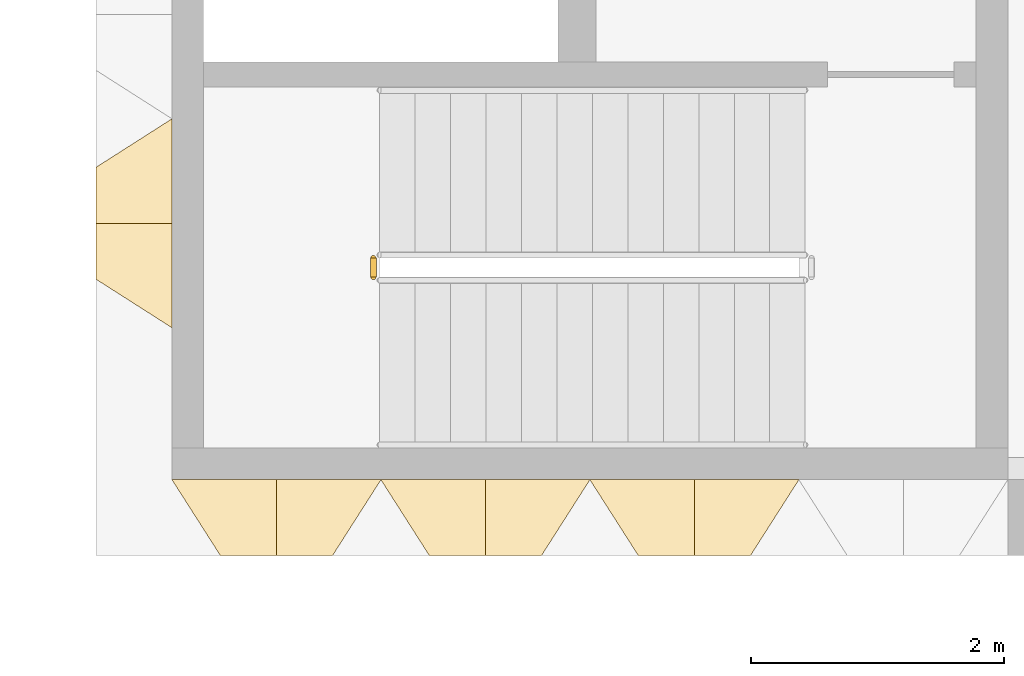
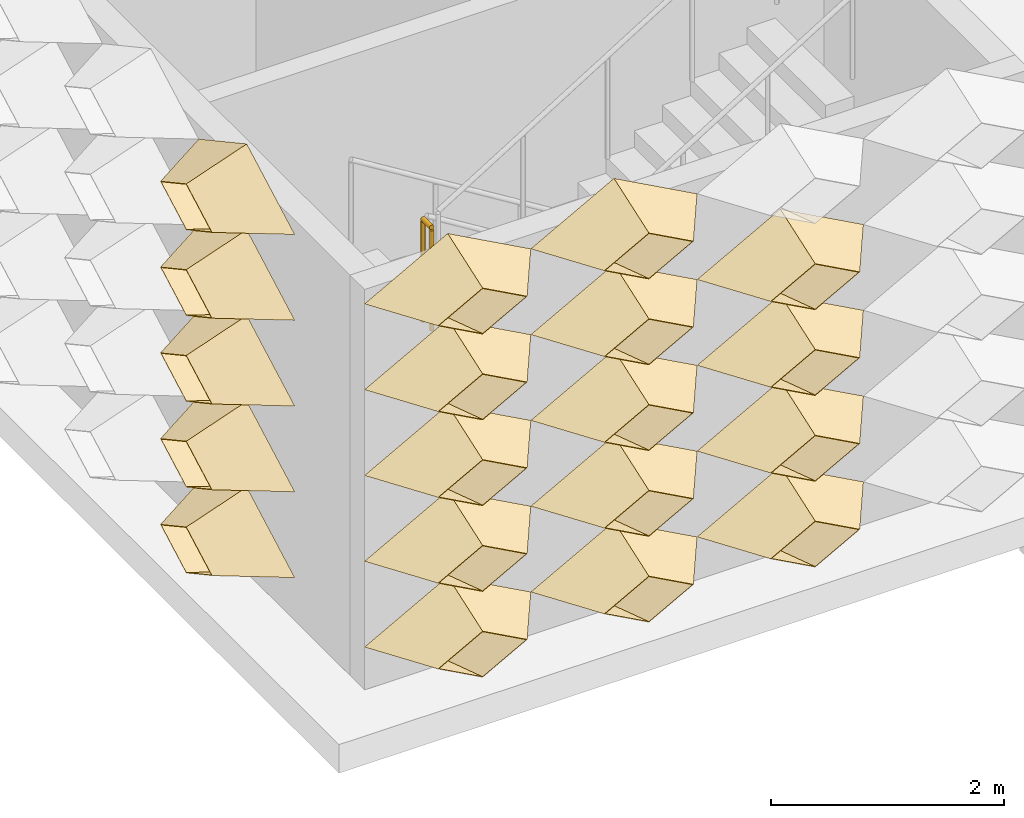
# One storey, part 11 of 28: 19 coverings, 1 railing.
"""IFC4 building model written with IfcOpenShell, lengths in metres."""

from ifc_helpers import new_model, entity, si_unit, direction, frame, origin, origin_2d, place, context, subcontext, project, spatial, circle, extrude, material, layer, layer_set, type_object, element, save


model = new_model("IFC4")

# Units and contexts
model_context = context("Model", 3, precision=1e-05, world=origin(), true_north=direction((0.0, 1.0)))
body_context = subcontext(model_context, "Body", "Model", "MODEL_VIEW")
ifc_project = project(units=[si_unit("LENGTHUNIT", "METRE"), si_unit("AREAUNIT", "SQUARE_METRE"), si_unit("VOLUMEUNIT", "CUBIC_METRE"), si_unit("PLANEANGLEUNIT", "RADIAN"), si_unit("MASSUNIT", "GRAM", prefix="KILO")], contexts=[model_context])

# Site, building, storey
site_placement = place(None, origin())
site = spatial("IfcSite", under=ifc_project, at=site_placement, CompositionType="ELEMENT")
building_placement = place(site_placement, origin())
building = spatial("IfcBuilding", under=site, at=building_placement, Name="Lantern Court Research Institute", CompositionType="ELEMENT")
storey_placement = place(building_placement, frame((0.0, 0.0, 36.89990234375)))
storey = spatial("IfcBuildingStorey", under=building, at=storey_placement, Name="L08", CompositionType="ELEMENT", Elevation=36.89990234375)

# Coverings
ifc_material_1 = material(Name="Anodised aluminium", Category="aluminium")
ifc_layer = layer(ifc_material_1, 0.01611328125)
ifc_layer_set = layer_set([ifc_layer], Name="Anodised aluminium")
covering_type = type_object("IfcCoveringType", Name="Fin cassette 1650 x 900 x 600 aluminium", PredefinedType="CLADDING", material=ifc_layer_set)
covering_1_placement = place(storey_placement, frame((53.625, -7.800048828125, 0.4501953125), z_axis=(0.0, -1.0, 0.0), x_axis=(1.0, 0.0, 0.0)))
cartesian_point_1 = entity("IfcCartesianPoint", [0.824951171875, 0.0])
cartesian_point_2 = entity("IfcCartesianPoint", [0.79150390625, 0.0])
cartesian_point_3 = entity("IfcCartesianPoint", [0.44189453125, 0.0])
cartesian_point_4 = entity("IfcCartesianPoint", [0.43359375, 0.0])
element("IfcCovering", 1, at=covering_1_placement, inside=storey, type_object=covering_type, Name="Fin cassette V5S-L08 1.33", PredefinedType="CLADDING", context=body_context, shape_type="SweptSolid", body=[
    entity("IfcExtrudedAreaSolidTapered", entity("IfcArbitraryProfileDefWithVoids", "AREA", None, entity("IfcPolyline", [cartesian_point_1, entity("IfcCartesianPoint", [0.0, 0.449951171875]), entity("IfcCartesianPoint", [-0.824951171875, 0.0]), entity("IfcCartesianPoint", [0.0, -0.449951171875]), cartesian_point_1]), [entity("IfcPolyline", [cartesian_point_2, entity("IfcCartesianPoint", [0.0, 0.431884765625]), entity("IfcCartesianPoint", [-0.79150390625, 0.0]), entity("IfcCartesianPoint", [0.0, -0.431884765625]), cartesian_point_2])]), entity("IfcAxis2Placement3D", entity("IfcCartesianPoint", [0.0, 0.0, 0.0])), entity("IfcDirection", [0.0, 0.0, 1.0]), 0.60009765625, entity("IfcArbitraryProfileDefWithVoids", "AREA", None, entity("IfcPolyline", [cartesian_point_3, entity("IfcCartesianPoint", [0.0, 0.240966796875]), entity("IfcCartesianPoint", [-0.44189453125, 0.0]), entity("IfcCartesianPoint", [0.0, -0.240966796875]), cartesian_point_3]), [entity("IfcPolyline", [cartesian_point_4, entity("IfcCartesianPoint", [0.0, 0.236572265625]), entity("IfcCartesianPoint", [-0.43359375, 0.0]), entity("IfcCartesianPoint", [0.0, -0.236572265625]), cartesian_point_4])])),
])
covering_2_placement = place(storey_placement, frame((55.27490234375, -7.800048828125, 0.4501953125), z_axis=(0.0, -1.0, 0.0), x_axis=(1.0, 0.0, 0.0)))
cartesian_point_5 = entity("IfcCartesianPoint", [0.824951171875, 0.0])
cartesian_point_6 = entity("IfcCartesianPoint", [0.79150390625, 0.0])
cartesian_point_7 = entity("IfcCartesianPoint", [0.44189453125, 0.0])
cartesian_point_8 = entity("IfcCartesianPoint", [0.43359375, 0.0])
element("IfcCovering", 2, at=covering_2_placement, inside=storey, type_object=covering_type, Name="Fin cassette V5S-L08 1.34", PredefinedType="CLADDING", context=body_context, shape_type="SweptSolid", body=[
    entity("IfcExtrudedAreaSolidTapered", entity("IfcArbitraryProfileDefWithVoids", "AREA", None, entity("IfcPolyline", [cartesian_point_5, entity("IfcCartesianPoint", [0.0, 0.449951171875]), entity("IfcCartesianPoint", [-0.824951171875, 0.0]), entity("IfcCartesianPoint", [0.0, -0.449951171875]), cartesian_point_5]), [entity("IfcPolyline", [cartesian_point_6, entity("IfcCartesianPoint", [0.0, 0.431884765625]), entity("IfcCartesianPoint", [-0.79150390625, 0.0]), entity("IfcCartesianPoint", [0.0, -0.431884765625]), cartesian_point_6])]), entity("IfcAxis2Placement3D", entity("IfcCartesianPoint", [0.0, 0.0, 0.0])), entity("IfcDirection", [0.0, 0.0, 1.0]), 0.60009765625, entity("IfcArbitraryProfileDefWithVoids", "AREA", None, entity("IfcPolyline", [cartesian_point_7, entity("IfcCartesianPoint", [0.0, 0.240966796875]), entity("IfcCartesianPoint", [-0.44189453125, 0.0]), entity("IfcCartesianPoint", [0.0, -0.240966796875]), cartesian_point_7]), [entity("IfcPolyline", [cartesian_point_8, entity("IfcCartesianPoint", [0.0, 0.236572265625]), entity("IfcCartesianPoint", [-0.43359375, 0.0]), entity("IfcCartesianPoint", [0.0, -0.236572265625]), cartesian_point_8])])),
])
covering_3_placement = place(storey_placement, frame((56.925048828125, -7.800048828125, 0.4501953125), z_axis=(0.0, -1.0, 0.0), x_axis=(1.0, 0.0, 0.0)))
cartesian_point_9 = entity("IfcCartesianPoint", [0.824951171875, 0.0])
cartesian_point_10 = entity("IfcCartesianPoint", [0.79150390625, 0.0])
cartesian_point_11 = entity("IfcCartesianPoint", [0.44189453125, 0.0])
cartesian_point_12 = entity("IfcCartesianPoint", [0.43359375, 0.0])
element("IfcCovering", 3, at=covering_3_placement, inside=storey, type_object=covering_type, Name="Fin cassette V5S-L08 1.35", PredefinedType="CLADDING", context=body_context, shape_type="SweptSolid", body=[
    entity("IfcExtrudedAreaSolidTapered", entity("IfcArbitraryProfileDefWithVoids", "AREA", None, entity("IfcPolyline", [cartesian_point_9, entity("IfcCartesianPoint", [0.0, 0.449951171875]), entity("IfcCartesianPoint", [-0.824951171875, 0.0]), entity("IfcCartesianPoint", [0.0, -0.449951171875]), cartesian_point_9]), [entity("IfcPolyline", [cartesian_point_10, entity("IfcCartesianPoint", [0.0, 0.431884765625]), entity("IfcCartesianPoint", [-0.79150390625, 0.0]), entity("IfcCartesianPoint", [0.0, -0.431884765625]), cartesian_point_10])]), entity("IfcAxis2Placement3D", entity("IfcCartesianPoint", [0.0, 0.0, 0.0])), entity("IfcDirection", [0.0, 0.0, 1.0]), 0.60009765625, entity("IfcArbitraryProfileDefWithVoids", "AREA", None, entity("IfcPolyline", [cartesian_point_11, entity("IfcCartesianPoint", [0.0, 0.240966796875]), entity("IfcCartesianPoint", [-0.44189453125, 0.0]), entity("IfcCartesianPoint", [0.0, -0.240966796875]), cartesian_point_11]), [entity("IfcPolyline", [cartesian_point_12, entity("IfcCartesianPoint", [0.0, 0.236572265625]), entity("IfcCartesianPoint", [-0.43359375, 0.0]), entity("IfcCartesianPoint", [0.0, -0.236572265625]), cartesian_point_12])])),
])
covering_4_placement = place(storey_placement, frame((53.625, -7.800048828125, 1.35009765625), z_axis=(0.0, -1.0, 0.0), x_axis=(1.0, 0.0, 0.0)))
cartesian_point_13 = entity("IfcCartesianPoint", [0.824951171875, 0.0])
cartesian_point_14 = entity("IfcCartesianPoint", [0.79150390625, 0.0])
cartesian_point_15 = entity("IfcCartesianPoint", [0.44189453125, 0.0])
cartesian_point_16 = entity("IfcCartesianPoint", [0.43359375, 0.0])
element("IfcCovering", 4, at=covering_4_placement, inside=storey, type_object=covering_type, Name="Fin cassette V5S-L08 2.33", PredefinedType="CLADDING", context=body_context, shape_type="SweptSolid", body=[
    entity("IfcExtrudedAreaSolidTapered", entity("IfcArbitraryProfileDefWithVoids", "AREA", None, entity("IfcPolyline", [cartesian_point_13, entity("IfcCartesianPoint", [0.0, 0.449951171875]), entity("IfcCartesianPoint", [-0.824951171875, 0.0]), entity("IfcCartesianPoint", [0.0, -0.449951171875]), cartesian_point_13]), [entity("IfcPolyline", [cartesian_point_14, entity("IfcCartesianPoint", [0.0, 0.431884765625]), entity("IfcCartesianPoint", [-0.79150390625, 0.0]), entity("IfcCartesianPoint", [0.0, -0.431884765625]), cartesian_point_14])]), entity("IfcAxis2Placement3D", entity("IfcCartesianPoint", [0.0, 0.0, 0.0])), entity("IfcDirection", [0.0, 0.0, 1.0]), 0.60009765625, entity("IfcArbitraryProfileDefWithVoids", "AREA", None, entity("IfcPolyline", [cartesian_point_15, entity("IfcCartesianPoint", [0.0, 0.240966796875]), entity("IfcCartesianPoint", [-0.44189453125, 0.0]), entity("IfcCartesianPoint", [0.0, -0.240966796875]), cartesian_point_15]), [entity("IfcPolyline", [cartesian_point_16, entity("IfcCartesianPoint", [0.0, 0.236572265625]), entity("IfcCartesianPoint", [-0.43359375, 0.0]), entity("IfcCartesianPoint", [0.0, -0.236572265625]), cartesian_point_16])])),
])
covering_5_placement = place(storey_placement, frame((55.27490234375, -7.800048828125, 1.35009765625), z_axis=(0.0, -1.0, 0.0), x_axis=(1.0, 0.0, 0.0)))
cartesian_point_17 = entity("IfcCartesianPoint", [0.824951171875, 0.0])
cartesian_point_18 = entity("IfcCartesianPoint", [0.79150390625, 0.0])
cartesian_point_19 = entity("IfcCartesianPoint", [0.44189453125, 0.0])
cartesian_point_20 = entity("IfcCartesianPoint", [0.43359375, 0.0])
element("IfcCovering", 5, at=covering_5_placement, inside=storey, type_object=covering_type, Name="Fin cassette V5S-L08 2.34", PredefinedType="CLADDING", context=body_context, shape_type="SweptSolid", body=[
    entity("IfcExtrudedAreaSolidTapered", entity("IfcArbitraryProfileDefWithVoids", "AREA", None, entity("IfcPolyline", [cartesian_point_17, entity("IfcCartesianPoint", [0.0, 0.449951171875]), entity("IfcCartesianPoint", [-0.824951171875, 0.0]), entity("IfcCartesianPoint", [0.0, -0.449951171875]), cartesian_point_17]), [entity("IfcPolyline", [cartesian_point_18, entity("IfcCartesianPoint", [0.0, 0.431884765625]), entity("IfcCartesianPoint", [-0.79150390625, 0.0]), entity("IfcCartesianPoint", [0.0, -0.431884765625]), cartesian_point_18])]), entity("IfcAxis2Placement3D", entity("IfcCartesianPoint", [0.0, 0.0, 0.0])), entity("IfcDirection", [0.0, 0.0, 1.0]), 0.60009765625, entity("IfcArbitraryProfileDefWithVoids", "AREA", None, entity("IfcPolyline", [cartesian_point_19, entity("IfcCartesianPoint", [0.0, 0.240966796875]), entity("IfcCartesianPoint", [-0.44189453125, 0.0]), entity("IfcCartesianPoint", [0.0, -0.240966796875]), cartesian_point_19]), [entity("IfcPolyline", [cartesian_point_20, entity("IfcCartesianPoint", [0.0, 0.236572265625]), entity("IfcCartesianPoint", [-0.43359375, 0.0]), entity("IfcCartesianPoint", [0.0, -0.236572265625]), cartesian_point_20])])),
])
covering_6_placement = place(storey_placement, frame((56.925048828125, -7.800048828125, 1.35009765625), z_axis=(0.0, -1.0, 0.0), x_axis=(1.0, 0.0, 0.0)))
cartesian_point_21 = entity("IfcCartesianPoint", [0.824951171875, 0.0])
cartesian_point_22 = entity("IfcCartesianPoint", [0.79150390625, 0.0])
cartesian_point_23 = entity("IfcCartesianPoint", [0.44189453125, 0.0])
cartesian_point_24 = entity("IfcCartesianPoint", [0.43359375, 0.0])
element("IfcCovering", 6, at=covering_6_placement, inside=storey, type_object=covering_type, Name="Fin cassette V5S-L08 2.35", PredefinedType="CLADDING", context=body_context, shape_type="SweptSolid", body=[
    entity("IfcExtrudedAreaSolidTapered", entity("IfcArbitraryProfileDefWithVoids", "AREA", None, entity("IfcPolyline", [cartesian_point_21, entity("IfcCartesianPoint", [0.0, 0.449951171875]), entity("IfcCartesianPoint", [-0.824951171875, 0.0]), entity("IfcCartesianPoint", [0.0, -0.449951171875]), cartesian_point_21]), [entity("IfcPolyline", [cartesian_point_22, entity("IfcCartesianPoint", [0.0, 0.431884765625]), entity("IfcCartesianPoint", [-0.79150390625, 0.0]), entity("IfcCartesianPoint", [0.0, -0.431884765625]), cartesian_point_22])]), entity("IfcAxis2Placement3D", entity("IfcCartesianPoint", [0.0, 0.0, 0.0])), entity("IfcDirection", [0.0, 0.0, 1.0]), 0.60009765625, entity("IfcArbitraryProfileDefWithVoids", "AREA", None, entity("IfcPolyline", [cartesian_point_23, entity("IfcCartesianPoint", [0.0, 0.240966796875]), entity("IfcCartesianPoint", [-0.44189453125, 0.0]), entity("IfcCartesianPoint", [0.0, -0.240966796875]), cartesian_point_23]), [entity("IfcPolyline", [cartesian_point_24, entity("IfcCartesianPoint", [0.0, 0.236572265625]), entity("IfcCartesianPoint", [-0.43359375, 0.0]), entity("IfcCartesianPoint", [0.0, -0.236572265625]), cartesian_point_24])])),
])
covering_7_placement = place(storey_placement, frame((53.625, -7.800048828125, 2.25), z_axis=(0.0, -1.0, 0.0), x_axis=(1.0, 0.0, 0.0)))
cartesian_point_25 = entity("IfcCartesianPoint", [0.824951171875, 0.0])
cartesian_point_26 = entity("IfcCartesianPoint", [0.79150390625, 0.0])
cartesian_point_27 = entity("IfcCartesianPoint", [0.44189453125, 0.0])
cartesian_point_28 = entity("IfcCartesianPoint", [0.43359375, 0.0])
element("IfcCovering", 7, at=covering_7_placement, inside=storey, type_object=covering_type, Name="Fin cassette V5S-L08 3.33", PredefinedType="CLADDING", context=body_context, shape_type="SweptSolid", body=[
    entity("IfcExtrudedAreaSolidTapered", entity("IfcArbitraryProfileDefWithVoids", "AREA", None, entity("IfcPolyline", [cartesian_point_25, entity("IfcCartesianPoint", [0.0, 0.449951171875]), entity("IfcCartesianPoint", [-0.824951171875, 0.0]), entity("IfcCartesianPoint", [0.0, -0.449951171875]), cartesian_point_25]), [entity("IfcPolyline", [cartesian_point_26, entity("IfcCartesianPoint", [0.0, 0.431884765625]), entity("IfcCartesianPoint", [-0.79150390625, 0.0]), entity("IfcCartesianPoint", [0.0, -0.431884765625]), cartesian_point_26])]), entity("IfcAxis2Placement3D", entity("IfcCartesianPoint", [0.0, 0.0, 0.0])), entity("IfcDirection", [0.0, 0.0, 1.0]), 0.60009765625, entity("IfcArbitraryProfileDefWithVoids", "AREA", None, entity("IfcPolyline", [cartesian_point_27, entity("IfcCartesianPoint", [0.0, 0.240966796875]), entity("IfcCartesianPoint", [-0.44189453125, 0.0]), entity("IfcCartesianPoint", [0.0, -0.240966796875]), cartesian_point_27]), [entity("IfcPolyline", [cartesian_point_28, entity("IfcCartesianPoint", [0.0, 0.236572265625]), entity("IfcCartesianPoint", [-0.43359375, 0.0]), entity("IfcCartesianPoint", [0.0, -0.236572265625]), cartesian_point_28])])),
])
covering_8_placement = place(storey_placement, frame((55.27490234375, -7.800048828125, 2.25), z_axis=(0.0, -1.0, 0.0), x_axis=(1.0, 0.0, 0.0)))
cartesian_point_29 = entity("IfcCartesianPoint", [0.824951171875, 0.0])
cartesian_point_30 = entity("IfcCartesianPoint", [0.79150390625, 0.0])
cartesian_point_31 = entity("IfcCartesianPoint", [0.44189453125, 0.0])
cartesian_point_32 = entity("IfcCartesianPoint", [0.43359375, 0.0])
element("IfcCovering", 8, at=covering_8_placement, inside=storey, type_object=covering_type, Name="Fin cassette V5S-L08 3.34", PredefinedType="CLADDING", context=body_context, shape_type="SweptSolid", body=[
    entity("IfcExtrudedAreaSolidTapered", entity("IfcArbitraryProfileDefWithVoids", "AREA", None, entity("IfcPolyline", [cartesian_point_29, entity("IfcCartesianPoint", [0.0, 0.449951171875]), entity("IfcCartesianPoint", [-0.824951171875, 0.0]), entity("IfcCartesianPoint", [0.0, -0.449951171875]), cartesian_point_29]), [entity("IfcPolyline", [cartesian_point_30, entity("IfcCartesianPoint", [0.0, 0.431884765625]), entity("IfcCartesianPoint", [-0.79150390625, 0.0]), entity("IfcCartesianPoint", [0.0, -0.431884765625]), cartesian_point_30])]), entity("IfcAxis2Placement3D", entity("IfcCartesianPoint", [0.0, 0.0, 0.0])), entity("IfcDirection", [0.0, 0.0, 1.0]), 0.60009765625, entity("IfcArbitraryProfileDefWithVoids", "AREA", None, entity("IfcPolyline", [cartesian_point_31, entity("IfcCartesianPoint", [0.0, 0.240966796875]), entity("IfcCartesianPoint", [-0.44189453125, 0.0]), entity("IfcCartesianPoint", [0.0, -0.240966796875]), cartesian_point_31]), [entity("IfcPolyline", [cartesian_point_32, entity("IfcCartesianPoint", [0.0, 0.236572265625]), entity("IfcCartesianPoint", [-0.43359375, 0.0]), entity("IfcCartesianPoint", [0.0, -0.236572265625]), cartesian_point_32])])),
])
covering_9_placement = place(storey_placement, frame((56.925048828125, -7.800048828125, 2.25), z_axis=(0.0, -1.0, 0.0), x_axis=(1.0, 0.0, 0.0)))
cartesian_point_33 = entity("IfcCartesianPoint", [0.824951171875, 0.0])
cartesian_point_34 = entity("IfcCartesianPoint", [0.79150390625, 0.0])
cartesian_point_35 = entity("IfcCartesianPoint", [0.44189453125, 0.0])
cartesian_point_36 = entity("IfcCartesianPoint", [0.43359375, 0.0])
element("IfcCovering", 9, at=covering_9_placement, inside=storey, type_object=covering_type, Name="Fin cassette V5S-L08 3.35", PredefinedType="CLADDING", context=body_context, shape_type="SweptSolid", body=[
    entity("IfcExtrudedAreaSolidTapered", entity("IfcArbitraryProfileDefWithVoids", "AREA", None, entity("IfcPolyline", [cartesian_point_33, entity("IfcCartesianPoint", [0.0, 0.449951171875]), entity("IfcCartesianPoint", [-0.824951171875, 0.0]), entity("IfcCartesianPoint", [0.0, -0.449951171875]), cartesian_point_33]), [entity("IfcPolyline", [cartesian_point_34, entity("IfcCartesianPoint", [0.0, 0.431884765625]), entity("IfcCartesianPoint", [-0.79150390625, 0.0]), entity("IfcCartesianPoint", [0.0, -0.431884765625]), cartesian_point_34])]), entity("IfcAxis2Placement3D", entity("IfcCartesianPoint", [0.0, 0.0, 0.0])), entity("IfcDirection", [0.0, 0.0, 1.0]), 0.60009765625, entity("IfcArbitraryProfileDefWithVoids", "AREA", None, entity("IfcPolyline", [cartesian_point_35, entity("IfcCartesianPoint", [0.0, 0.240966796875]), entity("IfcCartesianPoint", [-0.44189453125, 0.0]), entity("IfcCartesianPoint", [0.0, -0.240966796875]), cartesian_point_35]), [entity("IfcPolyline", [cartesian_point_36, entity("IfcCartesianPoint", [0.0, 0.236572265625]), entity("IfcCartesianPoint", [-0.43359375, 0.0]), entity("IfcCartesianPoint", [0.0, -0.236572265625]), cartesian_point_36])])),
])
covering_10_placement = place(storey_placement, frame((53.625, -7.800048828125, 3.150146484375), z_axis=(0.0, -1.0, 0.0), x_axis=(1.0, 0.0, 0.0)))
cartesian_point_37 = entity("IfcCartesianPoint", [0.824951171875, 0.0])
cartesian_point_38 = entity("IfcCartesianPoint", [0.79150390625, 0.0])
cartesian_point_39 = entity("IfcCartesianPoint", [0.44189453125, 0.0])
cartesian_point_40 = entity("IfcCartesianPoint", [0.43359375, 0.0])
element("IfcCovering", 10, at=covering_10_placement, inside=storey, type_object=covering_type, Name="Fin cassette V5S-L08 4.33", PredefinedType="CLADDING", context=body_context, shape_type="SweptSolid", body=[
    entity("IfcExtrudedAreaSolidTapered", entity("IfcArbitraryProfileDefWithVoids", "AREA", None, entity("IfcPolyline", [cartesian_point_37, entity("IfcCartesianPoint", [0.0, 0.449951171875]), entity("IfcCartesianPoint", [-0.824951171875, 0.0]), entity("IfcCartesianPoint", [0.0, -0.449951171875]), cartesian_point_37]), [entity("IfcPolyline", [cartesian_point_38, entity("IfcCartesianPoint", [0.0, 0.431884765625]), entity("IfcCartesianPoint", [-0.79150390625, 0.0]), entity("IfcCartesianPoint", [0.0, -0.431884765625]), cartesian_point_38])]), entity("IfcAxis2Placement3D", entity("IfcCartesianPoint", [0.0, 0.0, 0.0])), entity("IfcDirection", [0.0, 0.0, 1.0]), 0.60009765625, entity("IfcArbitraryProfileDefWithVoids", "AREA", None, entity("IfcPolyline", [cartesian_point_39, entity("IfcCartesianPoint", [0.0, 0.240966796875]), entity("IfcCartesianPoint", [-0.44189453125, 0.0]), entity("IfcCartesianPoint", [0.0, -0.240966796875]), cartesian_point_39]), [entity("IfcPolyline", [cartesian_point_40, entity("IfcCartesianPoint", [0.0, 0.236572265625]), entity("IfcCartesianPoint", [-0.43359375, 0.0]), entity("IfcCartesianPoint", [0.0, -0.236572265625]), cartesian_point_40])])),
])
covering_11_placement = place(storey_placement, frame((55.27490234375, -7.800048828125, 3.150146484375), z_axis=(0.0, -1.0, 0.0), x_axis=(1.0, 0.0, 0.0)))
cartesian_point_41 = entity("IfcCartesianPoint", [0.824951171875, 0.0])
cartesian_point_42 = entity("IfcCartesianPoint", [0.79150390625, 0.0])
cartesian_point_43 = entity("IfcCartesianPoint", [0.44189453125, 0.0])
cartesian_point_44 = entity("IfcCartesianPoint", [0.43359375, 0.0])
element("IfcCovering", 11, at=covering_11_placement, inside=storey, type_object=covering_type, Name="Fin cassette V5S-L08 4.34", PredefinedType="CLADDING", context=body_context, shape_type="SweptSolid", body=[
    entity("IfcExtrudedAreaSolidTapered", entity("IfcArbitraryProfileDefWithVoids", "AREA", None, entity("IfcPolyline", [cartesian_point_41, entity("IfcCartesianPoint", [0.0, 0.449951171875]), entity("IfcCartesianPoint", [-0.824951171875, 0.0]), entity("IfcCartesianPoint", [0.0, -0.449951171875]), cartesian_point_41]), [entity("IfcPolyline", [cartesian_point_42, entity("IfcCartesianPoint", [0.0, 0.431884765625]), entity("IfcCartesianPoint", [-0.79150390625, 0.0]), entity("IfcCartesianPoint", [0.0, -0.431884765625]), cartesian_point_42])]), entity("IfcAxis2Placement3D", entity("IfcCartesianPoint", [0.0, 0.0, 0.0])), entity("IfcDirection", [0.0, 0.0, 1.0]), 0.60009765625, entity("IfcArbitraryProfileDefWithVoids", "AREA", None, entity("IfcPolyline", [cartesian_point_43, entity("IfcCartesianPoint", [0.0, 0.240966796875]), entity("IfcCartesianPoint", [-0.44189453125, 0.0]), entity("IfcCartesianPoint", [0.0, -0.240966796875]), cartesian_point_43]), [entity("IfcPolyline", [cartesian_point_44, entity("IfcCartesianPoint", [0.0, 0.236572265625]), entity("IfcCartesianPoint", [-0.43359375, 0.0]), entity("IfcCartesianPoint", [0.0, -0.236572265625]), cartesian_point_44])])),
])
covering_12_placement = place(storey_placement, frame((56.925048828125, -7.800048828125, 3.150146484375), z_axis=(0.0, -1.0, 0.0), x_axis=(1.0, 0.0, 0.0)))
cartesian_point_45 = entity("IfcCartesianPoint", [0.824951171875, 0.0])
cartesian_point_46 = entity("IfcCartesianPoint", [0.79150390625, 0.0])
cartesian_point_47 = entity("IfcCartesianPoint", [0.44189453125, 0.0])
cartesian_point_48 = entity("IfcCartesianPoint", [0.43359375, 0.0])
element("IfcCovering", 12, at=covering_12_placement, inside=storey, type_object=covering_type, Name="Fin cassette V5S-L08 4.35", PredefinedType="CLADDING", context=body_context, shape_type="SweptSolid", body=[
    entity("IfcExtrudedAreaSolidTapered", entity("IfcArbitraryProfileDefWithVoids", "AREA", None, entity("IfcPolyline", [cartesian_point_45, entity("IfcCartesianPoint", [0.0, 0.449951171875]), entity("IfcCartesianPoint", [-0.824951171875, 0.0]), entity("IfcCartesianPoint", [0.0, -0.449951171875]), cartesian_point_45]), [entity("IfcPolyline", [cartesian_point_46, entity("IfcCartesianPoint", [0.0, 0.431884765625]), entity("IfcCartesianPoint", [-0.79150390625, 0.0]), entity("IfcCartesianPoint", [0.0, -0.431884765625]), cartesian_point_46])]), entity("IfcAxis2Placement3D", entity("IfcCartesianPoint", [0.0, 0.0, 0.0])), entity("IfcDirection", [0.0, 0.0, 1.0]), 0.60009765625, entity("IfcArbitraryProfileDefWithVoids", "AREA", None, entity("IfcPolyline", [cartesian_point_47, entity("IfcCartesianPoint", [0.0, 0.240966796875]), entity("IfcCartesianPoint", [-0.44189453125, 0.0]), entity("IfcCartesianPoint", [0.0, -0.240966796875]), cartesian_point_47]), [entity("IfcPolyline", [cartesian_point_48, entity("IfcCartesianPoint", [0.0, 0.236572265625]), entity("IfcCartesianPoint", [-0.43359375, 0.0]), entity("IfcCartesianPoint", [0.0, -0.236572265625]), cartesian_point_48])])),
])
covering_13_placement = place(storey_placement, frame((53.625, -7.800048828125, 4.050048828125), z_axis=(0.0, -1.0, 0.0), x_axis=(1.0, 0.0, 0.0)))
cartesian_point_49 = entity("IfcCartesianPoint", [0.824951171875, 0.0])
cartesian_point_50 = entity("IfcCartesianPoint", [0.79150390625, 0.0])
cartesian_point_51 = entity("IfcCartesianPoint", [0.44189453125, 0.0])
cartesian_point_52 = entity("IfcCartesianPoint", [0.43359375, 0.0])
element("IfcCovering", 13, at=covering_13_placement, inside=storey, type_object=covering_type, Name="Fin cassette V5S-L08 5.33", PredefinedType="CLADDING", context=body_context, shape_type="SweptSolid", body=[
    entity("IfcExtrudedAreaSolidTapered", entity("IfcArbitraryProfileDefWithVoids", "AREA", None, entity("IfcPolyline", [cartesian_point_49, entity("IfcCartesianPoint", [0.0, 0.449951171875]), entity("IfcCartesianPoint", [-0.824951171875, 0.0]), entity("IfcCartesianPoint", [0.0, -0.449951171875]), cartesian_point_49]), [entity("IfcPolyline", [cartesian_point_50, entity("IfcCartesianPoint", [0.0, 0.431884765625]), entity("IfcCartesianPoint", [-0.79150390625, 0.0]), entity("IfcCartesianPoint", [0.0, -0.431884765625]), cartesian_point_50])]), entity("IfcAxis2Placement3D", entity("IfcCartesianPoint", [0.0, 0.0, 0.0])), entity("IfcDirection", [0.0, 0.0, 1.0]), 0.60009765625, entity("IfcArbitraryProfileDefWithVoids", "AREA", None, entity("IfcPolyline", [cartesian_point_51, entity("IfcCartesianPoint", [0.0, 0.240966796875]), entity("IfcCartesianPoint", [-0.44189453125, 0.0]), entity("IfcCartesianPoint", [0.0, -0.240966796875]), cartesian_point_51]), [entity("IfcPolyline", [cartesian_point_52, entity("IfcCartesianPoint", [0.0, 0.236572265625]), entity("IfcCartesianPoint", [-0.43359375, 0.0]), entity("IfcCartesianPoint", [0.0, -0.236572265625]), cartesian_point_52])])),
])
covering_14_placement = place(storey_placement, frame((55.27490234375, -7.800048828125, 4.050048828125), z_axis=(0.0, -1.0, 0.0), x_axis=(1.0, 0.0, 0.0)))
cartesian_point_53 = entity("IfcCartesianPoint", [0.824951171875, 0.0])
cartesian_point_54 = entity("IfcCartesianPoint", [0.79150390625, 0.0])
cartesian_point_55 = entity("IfcCartesianPoint", [0.44189453125, 0.0])
cartesian_point_56 = entity("IfcCartesianPoint", [0.43359375, 0.0])
element("IfcCovering", 14, at=covering_14_placement, inside=storey, type_object=covering_type, Name="Fin cassette V5S-L08 5.34", PredefinedType="CLADDING", context=body_context, shape_type="SweptSolid", body=[
    entity("IfcExtrudedAreaSolidTapered", entity("IfcArbitraryProfileDefWithVoids", "AREA", None, entity("IfcPolyline", [cartesian_point_53, entity("IfcCartesianPoint", [0.0, 0.449951171875]), entity("IfcCartesianPoint", [-0.824951171875, 0.0]), entity("IfcCartesianPoint", [0.0, -0.449951171875]), cartesian_point_53]), [entity("IfcPolyline", [cartesian_point_54, entity("IfcCartesianPoint", [0.0, 0.431884765625]), entity("IfcCartesianPoint", [-0.79150390625, 0.0]), entity("IfcCartesianPoint", [0.0, -0.431884765625]), cartesian_point_54])]), entity("IfcAxis2Placement3D", entity("IfcCartesianPoint", [0.0, 0.0, 0.0])), entity("IfcDirection", [0.0, 0.0, 1.0]), 0.60009765625, entity("IfcArbitraryProfileDefWithVoids", "AREA", None, entity("IfcPolyline", [cartesian_point_55, entity("IfcCartesianPoint", [0.0, 0.240966796875]), entity("IfcCartesianPoint", [-0.44189453125, 0.0]), entity("IfcCartesianPoint", [0.0, -0.240966796875]), cartesian_point_55]), [entity("IfcPolyline", [cartesian_point_56, entity("IfcCartesianPoint", [0.0, 0.236572265625]), entity("IfcCartesianPoint", [-0.43359375, 0.0]), entity("IfcCartesianPoint", [0.0, -0.236572265625]), cartesian_point_56])])),
])
covering_15_placement = place(storey_placement, frame((52.800048828125, -5.77490234375, 0.4501953125), z_axis=(-1.0, 0.0, 0.0), x_axis=(0.0, -1.0, 0.0)))
cartesian_point_57 = entity("IfcCartesianPoint", [0.824951171875, 0.0])
cartesian_point_58 = entity("IfcCartesianPoint", [0.79150390625, 0.0])
cartesian_point_59 = entity("IfcCartesianPoint", [0.44189453125, 0.0])
cartesian_point_60 = entity("IfcCartesianPoint", [0.43359375, 0.0])
element("IfcCovering", 15, at=covering_15_placement, inside=storey, type_object=covering_type, Name="Fin cassette V5W-L08 1.-3", PredefinedType="CLADDING", context=body_context, shape_type="SweptSolid", body=[
    entity("IfcExtrudedAreaSolidTapered", entity("IfcArbitraryProfileDefWithVoids", "AREA", None, entity("IfcPolyline", [cartesian_point_57, entity("IfcCartesianPoint", [0.0, 0.449951171875]), entity("IfcCartesianPoint", [-0.824951171875, 0.0]), entity("IfcCartesianPoint", [0.0, -0.449951171875]), cartesian_point_57]), [entity("IfcPolyline", [cartesian_point_58, entity("IfcCartesianPoint", [0.0, 0.431884765625]), entity("IfcCartesianPoint", [-0.79150390625, 0.0]), entity("IfcCartesianPoint", [0.0, -0.431884765625]), cartesian_point_58])]), entity("IfcAxis2Placement3D", entity("IfcCartesianPoint", [0.0, 0.0, 0.0])), entity("IfcDirection", [0.0, 0.0, 1.0]), 0.60009765625, entity("IfcArbitraryProfileDefWithVoids", "AREA", None, entity("IfcPolyline", [cartesian_point_59, entity("IfcCartesianPoint", [0.0, 0.240966796875]), entity("IfcCartesianPoint", [-0.44189453125, 0.0]), entity("IfcCartesianPoint", [0.0, -0.240966796875]), cartesian_point_59]), [entity("IfcPolyline", [cartesian_point_60, entity("IfcCartesianPoint", [0.0, 0.236572265625]), entity("IfcCartesianPoint", [-0.43359375, 0.0]), entity("IfcCartesianPoint", [0.0, -0.236572265625]), cartesian_point_60])])),
])
covering_16_placement = place(storey_placement, frame((52.800048828125, -5.77490234375, 1.35009765625), z_axis=(-1.0, 0.0, 0.0), x_axis=(0.0, -1.0, 0.0)))
cartesian_point_61 = entity("IfcCartesianPoint", [0.824951171875, 0.0])
cartesian_point_62 = entity("IfcCartesianPoint", [0.79150390625, 0.0])
cartesian_point_63 = entity("IfcCartesianPoint", [0.44189453125, 0.0])
cartesian_point_64 = entity("IfcCartesianPoint", [0.43359375, 0.0])
element("IfcCovering", 16, at=covering_16_placement, inside=storey, type_object=covering_type, Name="Fin cassette V5W-L08 2.-3", PredefinedType="CLADDING", context=body_context, shape_type="SweptSolid", body=[
    entity("IfcExtrudedAreaSolidTapered", entity("IfcArbitraryProfileDefWithVoids", "AREA", None, entity("IfcPolyline", [cartesian_point_61, entity("IfcCartesianPoint", [0.0, 0.449951171875]), entity("IfcCartesianPoint", [-0.824951171875, 0.0]), entity("IfcCartesianPoint", [0.0, -0.449951171875]), cartesian_point_61]), [entity("IfcPolyline", [cartesian_point_62, entity("IfcCartesianPoint", [0.0, 0.431884765625]), entity("IfcCartesianPoint", [-0.79150390625, 0.0]), entity("IfcCartesianPoint", [0.0, -0.431884765625]), cartesian_point_62])]), entity("IfcAxis2Placement3D", entity("IfcCartesianPoint", [0.0, 0.0, 0.0])), entity("IfcDirection", [0.0, 0.0, 1.0]), 0.60009765625, entity("IfcArbitraryProfileDefWithVoids", "AREA", None, entity("IfcPolyline", [cartesian_point_63, entity("IfcCartesianPoint", [0.0, 0.240966796875]), entity("IfcCartesianPoint", [-0.44189453125, 0.0]), entity("IfcCartesianPoint", [0.0, -0.240966796875]), cartesian_point_63]), [entity("IfcPolyline", [cartesian_point_64, entity("IfcCartesianPoint", [0.0, 0.236572265625]), entity("IfcCartesianPoint", [-0.43359375, 0.0]), entity("IfcCartesianPoint", [0.0, -0.236572265625]), cartesian_point_64])])),
])
covering_17_placement = place(storey_placement, frame((52.800048828125, -5.77490234375, 2.25), z_axis=(-1.0, 0.0, 0.0), x_axis=(0.0, -1.0, 0.0)))
cartesian_point_65 = entity("IfcCartesianPoint", [0.824951171875, 0.0])
cartesian_point_66 = entity("IfcCartesianPoint", [0.79150390625, 0.0])
cartesian_point_67 = entity("IfcCartesianPoint", [0.44189453125, 0.0])
cartesian_point_68 = entity("IfcCartesianPoint", [0.43359375, 0.0])
element("IfcCovering", 17, at=covering_17_placement, inside=storey, type_object=covering_type, Name="Fin cassette V5W-L08 3.-3", PredefinedType="CLADDING", context=body_context, shape_type="SweptSolid", body=[
    entity("IfcExtrudedAreaSolidTapered", entity("IfcArbitraryProfileDefWithVoids", "AREA", None, entity("IfcPolyline", [cartesian_point_65, entity("IfcCartesianPoint", [0.0, 0.449951171875]), entity("IfcCartesianPoint", [-0.824951171875, 0.0]), entity("IfcCartesianPoint", [0.0, -0.449951171875]), cartesian_point_65]), [entity("IfcPolyline", [cartesian_point_66, entity("IfcCartesianPoint", [0.0, 0.431884765625]), entity("IfcCartesianPoint", [-0.79150390625, 0.0]), entity("IfcCartesianPoint", [0.0, -0.431884765625]), cartesian_point_66])]), entity("IfcAxis2Placement3D", entity("IfcCartesianPoint", [0.0, 0.0, 0.0])), entity("IfcDirection", [0.0, 0.0, 1.0]), 0.60009765625, entity("IfcArbitraryProfileDefWithVoids", "AREA", None, entity("IfcPolyline", [cartesian_point_67, entity("IfcCartesianPoint", [0.0, 0.240966796875]), entity("IfcCartesianPoint", [-0.44189453125, 0.0]), entity("IfcCartesianPoint", [0.0, -0.240966796875]), cartesian_point_67]), [entity("IfcPolyline", [cartesian_point_68, entity("IfcCartesianPoint", [0.0, 0.236572265625]), entity("IfcCartesianPoint", [-0.43359375, 0.0]), entity("IfcCartesianPoint", [0.0, -0.236572265625]), cartesian_point_68])])),
])
covering_18_placement = place(storey_placement, frame((52.800048828125, -5.77490234375, 3.150146484375), z_axis=(-1.0, 0.0, 0.0), x_axis=(0.0, -1.0, 0.0)))
cartesian_point_69 = entity("IfcCartesianPoint", [0.824951171875, 0.0])
cartesian_point_70 = entity("IfcCartesianPoint", [0.79150390625, 0.0])
cartesian_point_71 = entity("IfcCartesianPoint", [0.44189453125, 0.0])
cartesian_point_72 = entity("IfcCartesianPoint", [0.43359375, 0.0])
element("IfcCovering", 18, at=covering_18_placement, inside=storey, type_object=covering_type, Name="Fin cassette V5W-L08 4.-3", PredefinedType="CLADDING", context=body_context, shape_type="SweptSolid", body=[
    entity("IfcExtrudedAreaSolidTapered", entity("IfcArbitraryProfileDefWithVoids", "AREA", None, entity("IfcPolyline", [cartesian_point_69, entity("IfcCartesianPoint", [0.0, 0.449951171875]), entity("IfcCartesianPoint", [-0.824951171875, 0.0]), entity("IfcCartesianPoint", [0.0, -0.449951171875]), cartesian_point_69]), [entity("IfcPolyline", [cartesian_point_70, entity("IfcCartesianPoint", [0.0, 0.431884765625]), entity("IfcCartesianPoint", [-0.79150390625, 0.0]), entity("IfcCartesianPoint", [0.0, -0.431884765625]), cartesian_point_70])]), entity("IfcAxis2Placement3D", entity("IfcCartesianPoint", [0.0, 0.0, 0.0])), entity("IfcDirection", [0.0, 0.0, 1.0]), 0.60009765625, entity("IfcArbitraryProfileDefWithVoids", "AREA", None, entity("IfcPolyline", [cartesian_point_71, entity("IfcCartesianPoint", [0.0, 0.240966796875]), entity("IfcCartesianPoint", [-0.44189453125, 0.0]), entity("IfcCartesianPoint", [0.0, -0.240966796875]), cartesian_point_71]), [entity("IfcPolyline", [cartesian_point_72, entity("IfcCartesianPoint", [0.0, 0.236572265625]), entity("IfcCartesianPoint", [-0.43359375, 0.0]), entity("IfcCartesianPoint", [0.0, -0.236572265625]), cartesian_point_72])])),
])
covering_19_placement = place(storey_placement, frame((52.800048828125, -5.77490234375, 4.050048828125), z_axis=(-1.0, 0.0, 0.0), x_axis=(0.0, -1.0, 0.0)))
cartesian_point_73 = entity("IfcCartesianPoint", [0.824951171875, 0.0])
cartesian_point_74 = entity("IfcCartesianPoint", [0.79150390625, 0.0])
cartesian_point_75 = entity("IfcCartesianPoint", [0.44189453125, 0.0])
cartesian_point_76 = entity("IfcCartesianPoint", [0.43359375, 0.0])
element("IfcCovering", 19, at=covering_19_placement, inside=storey, type_object=covering_type, Name="Fin cassette V5W-L08 5.-3", PredefinedType="CLADDING", context=body_context, shape_type="SweptSolid", body=[
    entity("IfcExtrudedAreaSolidTapered", entity("IfcArbitraryProfileDefWithVoids", "AREA", None, entity("IfcPolyline", [cartesian_point_73, entity("IfcCartesianPoint", [0.0, 0.449951171875]), entity("IfcCartesianPoint", [-0.824951171875, 0.0]), entity("IfcCartesianPoint", [0.0, -0.449951171875]), cartesian_point_73]), [entity("IfcPolyline", [cartesian_point_74, entity("IfcCartesianPoint", [0.0, 0.431884765625]), entity("IfcCartesianPoint", [-0.79150390625, 0.0]), entity("IfcCartesianPoint", [0.0, -0.431884765625]), cartesian_point_74])]), entity("IfcAxis2Placement3D", entity("IfcCartesianPoint", [0.0, 0.0, 0.0])), entity("IfcDirection", [0.0, 0.0, 1.0]), 0.60009765625, entity("IfcArbitraryProfileDefWithVoids", "AREA", None, entity("IfcPolyline", [cartesian_point_75, entity("IfcCartesianPoint", [0.0, 0.240966796875]), entity("IfcCartesianPoint", [-0.44189453125, 0.0]), entity("IfcCartesianPoint", [0.0, -0.240966796875]), cartesian_point_75]), [entity("IfcPolyline", [cartesian_point_76, entity("IfcCartesianPoint", [0.0, 0.236572265625]), entity("IfcCartesianPoint", [-0.43359375, 0.0]), entity("IfcCartesianPoint", [0.0, -0.236572265625]), cartesian_point_76])])),
])

# Railing
ifc_material_2 = material(Name="Structural steel S355", Category="steel")
railing_type = type_object("IfcRailingType", Name="Stair guard 1100 steel", PredefinedType="GUARDRAIL", material=ifc_material_2)
railing_placement = place(storey_placement, frame((54.389892578125, -6.050048828125, 2.25)))
element("IfcRailing", 20, at=railing_placement, inside=storey, type_object=railing_type, Name="L08 ST-T1 stair guard 2", PredefinedType="GUARDRAIL", context=body_context, shape_type="SweptSolid", body=[
    extrude(circle(Radius=0.02392578125, at=origin_2d()), frame((0.0, 0.0, 1.076171875), z_axis=(0.0, -1.0, 0.0), x_axis=(1.0, 0.0, 0.0)), (0.0, 0.0, 1.0), 0.14990234375),
    extrude(circle(Radius=0.02099609375, at=origin_2d()), origin(), (0.0, 0.0, 1.0), 1.052001953125),
    extrude(circle(Radius=0.02099609375, at=origin_2d()), frame((0.0, -0.14990234375, 0.0)), (0.0, 0.0, 1.0), 1.052001953125),
])

save(model, "model.ifc")
